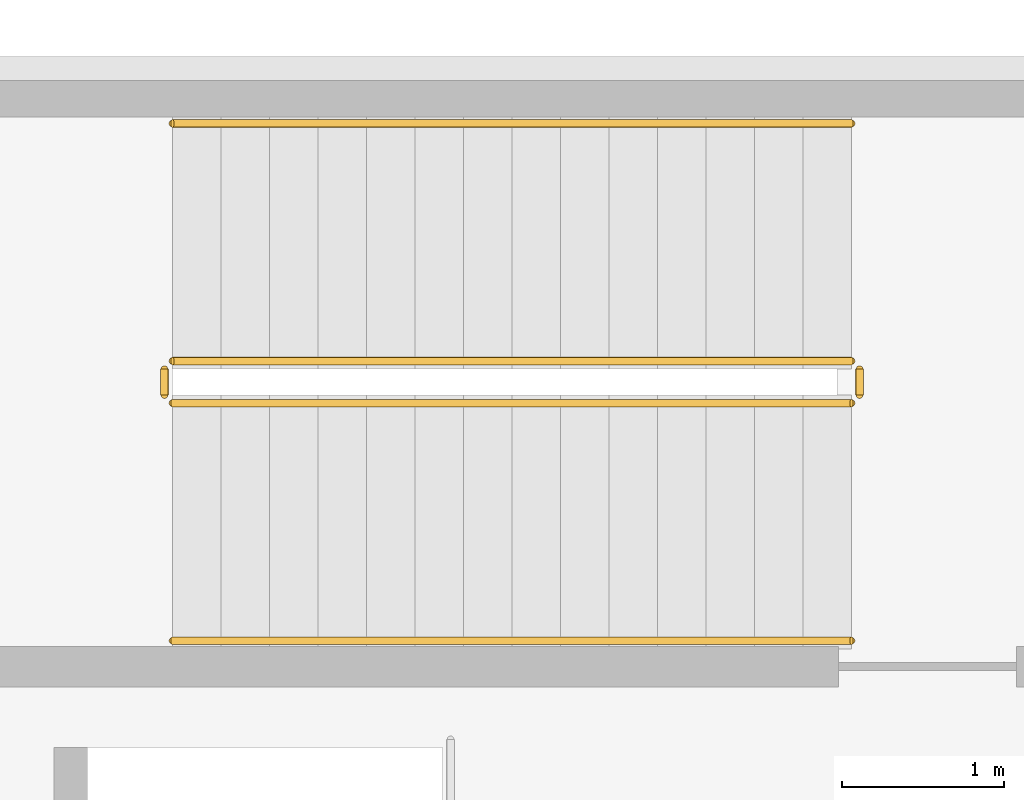
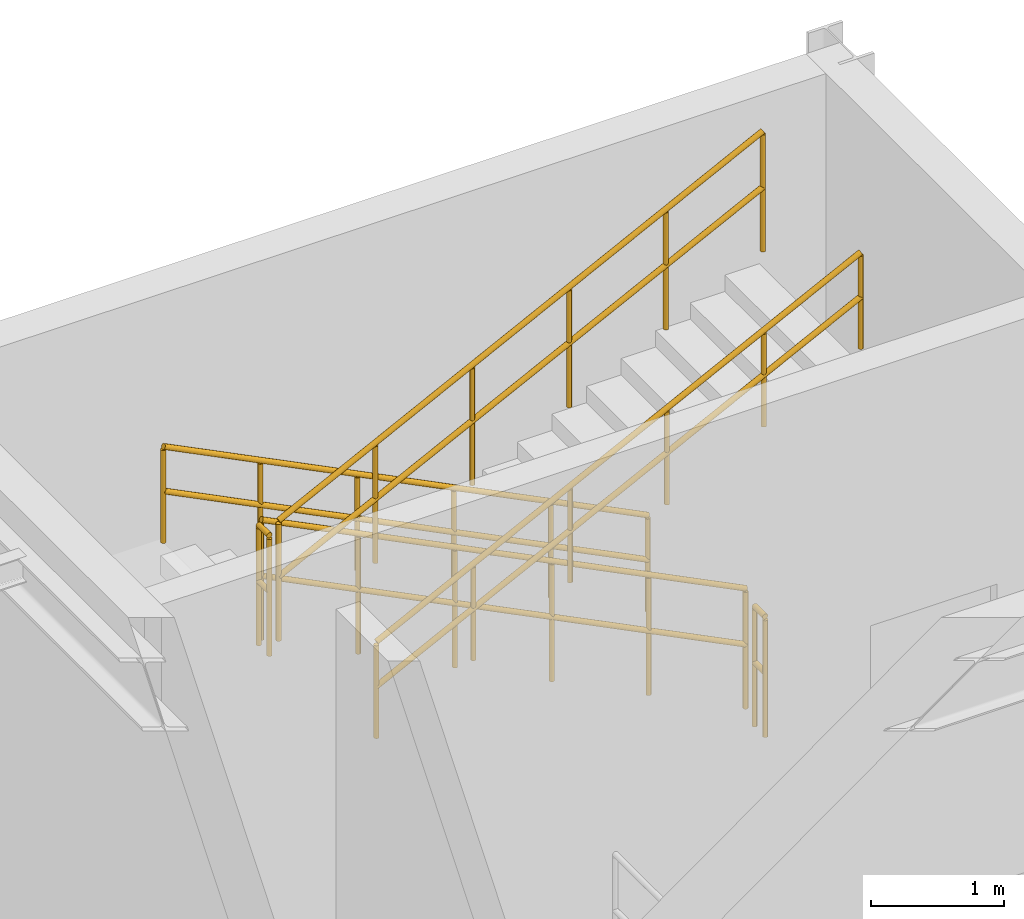
# One storey, part 105 of 106: 6 railings.
"""IFC4 building model written with IfcOpenShell, lengths in metres."""

from ifc_helpers import new_model, si_unit, derived_unit, direction, frame, origin, origin_2d, place, context, subcontext, project, spatial, circle, extrude, material, type_object, element, save


model = new_model("IFC4")

# Units and contexts
model_context = context("Model", 3, precision=1e-05, world=origin(), true_north=direction((0.0, 1.0)))
body_context = subcontext(model_context, "Body", "Model", "MODEL_VIEW")
ifc_project = project(units=[si_unit("LENGTHUNIT", "METRE"), si_unit("AREAUNIT", "SQUARE_METRE"), si_unit("VOLUMEUNIT", "CUBIC_METRE"), si_unit("PLANEANGLEUNIT", "RADIAN"), si_unit("MASSUNIT", "GRAM", prefix="KILO"), derived_unit("THERMALTRANSMITTANCEUNIT", [(si_unit("POWERUNIT", "WATT"), 1), (si_unit("AREAUNIT", "SQUARE_METRE"), -1), (si_unit("THERMODYNAMICTEMPERATUREUNIT", "KELVIN"), -1)])], contexts=[model_context])

# Site, building, storey
site_placement = place(None, origin())
site = spatial("IfcSite", under=ifc_project, at=site_placement, CompositionType="ELEMENT")
building_placement = place(site_placement, origin())
building = spatial("IfcBuilding", under=site, at=building_placement, Name="Yasenodar Specialist Clinic", CompositionType="ELEMENT")
storey_placement = place(building_placement, frame((0.0, 0.0, 4.5)))
storey = spatial("IfcBuildingStorey", under=building, at=storey_placement, Name="L01", CompositionType="ELEMENT", Elevation=4.5)

# Railings
ifc_material_1 = material(Name="Steel S355 Painted Stair Guardrail", Category="steel")
railing_type_1 = type_object("IfcRailingType", Name="RL-ST-GRD", PredefinedType="GUARDRAIL", material=ifc_material_1)
railing_1_placement = place(storey_placement, frame((119.929931640625, 109.7900390625, 0.14990234375)))
element("IfcRailing", 1, at=railing_1_placement, inside=storey, type_object=railing_type_1, Name="L01 ST-05 stair guard 1", PredefinedType="GUARDRAIL", context=body_context, shape_type="SweptSolid", body=[
    extrude(circle(Radius=0.02392578125, at=origin_2d()), frame((0.0, 0.0, 1.09619140625), z_axis=(-0.894416792377, 0.0, 0.447234392142), x_axis=(0.0, -1.0, 0.0)), (0.0, 0.0, 1.0), 4.69580078125),
    extrude(circle(Radius=0.02392578125, at=origin_2d()), frame((0.0, 0.0, 0.58251953125), z_axis=(-0.894416792377, 0.0, 0.447234392142), x_axis=(0.0, -1.0, 0.0)), (0.0, 0.0, 1.0), 4.69580078125),
    extrude(circle(Radius=0.02099609375, at=origin_2d()), origin(), (0.0, 0.0, 1.0), 1.072021484375),
    extrude(circle(Radius=0.02099609375, at=origin_2d()), frame((-0.840087890625, 0.0, 0.419921875)), (0.0, 0.0, 1.0), 1.072021484375),
    extrude(circle(Radius=0.02099609375, at=origin_2d()), frame((-1.679931640625, 0.0, 0.840087890625)), (0.0, 0.0, 1.0), 1.072021484375),
    extrude(circle(Radius=0.02099609375, at=origin_2d()), frame((-2.52001953125, 0.0, 1.260009765625)), (0.0, 0.0, 1.0), 1.072021484375),
    extrude(circle(Radius=0.02099609375, at=origin_2d()), frame((-3.35986328125, 0.0, 1.68017578125)), (0.0, 0.0, 1.0), 1.072021484375),
    extrude(circle(Radius=0.02099609375, at=origin_2d()), frame((-4.199951171875, 0.0, 2.10009765625)), (0.0, 0.0, 1.0), 1.072021484375),
])
railing_2_placement = place(storey_placement, frame((115.679931640625, 109.739990234375, 2.25)))
element("IfcRailing", 2, at=railing_2_placement, inside=storey, type_object=railing_type_1, Name="L01 ST-05 stair guard 2", PredefinedType="GUARDRAIL", context=body_context, shape_type="SweptSolid", body=[
    extrude(circle(Radius=0.02392578125, at=origin_2d()), frame((0.0, 0.0, 1.09619140625), z_axis=(0.0, -1.0, 0.0), x_axis=(1.0, 0.0, 0.0)), (0.0, 0.0, 1.0), 0.159912109375),
    extrude(circle(Radius=0.02392578125, at=origin_2d()), frame((0.0, 0.0, 0.58251953125), z_axis=(0.0, -1.0, 0.0), x_axis=(1.0, 0.0, 0.0)), (0.0, 0.0, 1.0), 0.159912109375),
    extrude(circle(Radius=0.02099609375, at=origin_2d()), origin(), (0.0, 0.0, 1.0), 1.072021484375),
    extrude(circle(Radius=0.02099609375, at=origin_2d()), frame((0.0, -0.159912109375, 0.0)), (0.0, 0.0, 1.0), 1.072021484375),
])
railing_3_placement = place(storey_placement, frame((115.72998046875, 109.530029296875, 2.39990234375)))
element("IfcRailing", 3, at=railing_3_placement, inside=storey, type_object=railing_type_1, Name="L01 ST-05 stair guard 3", PredefinedType="GUARDRAIL", context=body_context, shape_type="SweptSolid", body=[
    extrude(circle(Radius=0.02392578125, at=origin_2d()), frame((0.0, 0.0, 1.09619140625), z_axis=(0.894416792377, 0.0, 0.447234392142), x_axis=(0.0, 1.0, 0.0)), (0.0, 0.0, 1.0), 4.69580078125),
    extrude(circle(Radius=0.02392578125, at=origin_2d()), frame((0.0, 0.0, 0.58251953125), z_axis=(0.894416792377, 0.0, 0.447234392142), x_axis=(0.0, 1.0, 0.0)), (0.0, 0.0, 1.0), 4.69580078125),
    extrude(circle(Radius=0.02099609375, at=origin_2d()), origin(), (0.0, 0.0, 1.0), 1.072021484375),
    extrude(circle(Radius=0.02099609375, at=origin_2d()), frame((0.840087890625, 0.0, 0.419921875)), (0.0, 0.0, 1.0), 1.072021484375),
    extrude(circle(Radius=0.02099609375, at=origin_2d()), frame((1.679931640625, 0.0, 0.840087890625)), (0.0, 0.0, 1.0), 1.072021484375),
    extrude(circle(Radius=0.02099609375, at=origin_2d()), frame((2.52001953125, 0.0, 1.260009765625)), (0.0, 0.0, 1.0), 1.072021484375),
    extrude(circle(Radius=0.02099609375, at=origin_2d()), frame((3.35986328125, 0.0, 1.68017578125)), (0.0, 0.0, 1.0), 1.072021484375),
    extrude(circle(Radius=0.02099609375, at=origin_2d()), frame((4.199951171875, 0.0, 2.10009765625)), (0.0, 0.0, 1.0), 1.072021484375),
])
railing_4_placement = place(storey_placement, frame((119.97998046875, 109.739990234375, 0.0)))
element("IfcRailing", 4, at=railing_4_placement, inside=storey, type_object=railing_type_1, Name="L01 ST-05 stair guard 4", PredefinedType="GUARDRAIL", context=body_context, shape_type="SweptSolid", body=[
    extrude(circle(Radius=0.02392578125, at=origin_2d()), frame((0.0, 0.0, 1.09619140625), z_axis=(0.0, -1.0, 0.0), x_axis=(1.0, 0.0, 0.0)), (0.0, 0.0, 1.0), 0.159912109375),
    extrude(circle(Radius=0.02392578125, at=origin_2d()), frame((0.0, 0.0, 0.58251953125), z_axis=(0.0, -1.0, 0.0), x_axis=(1.0, 0.0, 0.0)), (0.0, 0.0, 1.0), 0.159912109375),
    extrude(circle(Radius=0.02099609375, at=origin_2d()), origin(), (0.0, 0.0, 1.0), 1.072021484375),
    extrude(circle(Radius=0.02099609375, at=origin_2d()), frame((0.0, -0.159912109375, 0.0)), (0.0, 0.0, 1.0), 1.072021484375),
])
ifc_material_2 = material(Name="Brushed Stainless Steel Handrail", Category="steel")
railing_type_2 = type_object("IfcRailingType", Name="RL-ST-HND", PredefinedType="HANDRAIL", material=ifc_material_2)
railing_5_placement = place(storey_placement, frame((119.929931640625, 111.260009765625, 0.14990234375)))
element("IfcRailing", 5, at=railing_5_placement, inside=storey, type_object=railing_type_2, Name="L01 ST-05 stair handrail 1", PredefinedType="HANDRAIL", context=body_context, shape_type="SweptSolid", body=[
    extrude(circle(Radius=0.02392578125, at=origin_2d()), frame((0.0, 0.0, 0.8759765625), z_axis=(-0.894416792377, 0.0, 0.447234392142), x_axis=(0.0, -1.0, 0.0)), (0.0, 0.0, 1.0), 4.69580078125),
    extrude(circle(Radius=0.02392578125, at=origin_2d()), frame((0.0, 0.0, 0.468017578125), z_axis=(-0.894416792377, 0.0, 0.447234392142), x_axis=(0.0, -1.0, 0.0)), (0.0, 0.0, 1.0), 4.69580078125),
    extrude(circle(Radius=0.02099609375, at=origin_2d()), origin(), (0.0, 0.0, 1.0), 0.851806640625),
    extrude(circle(Radius=0.02099609375, at=origin_2d()), frame((-0.840087890625, 0.0, 0.419921875)), (0.0, 0.0, 1.0), 0.851806640625),
    extrude(circle(Radius=0.02099609375, at=origin_2d()), frame((-1.679931640625, 0.0, 0.840087890625)), (0.0, 0.0, 1.0), 0.851806640625),
    extrude(circle(Radius=0.02099609375, at=origin_2d()), frame((-2.52001953125, 0.0, 1.260009765625)), (0.0, 0.0, 1.0), 0.851806640625),
    extrude(circle(Radius=0.02099609375, at=origin_2d()), frame((-3.35986328125, 0.0, 1.68017578125)), (0.0, 0.0, 1.0), 0.851806640625),
    extrude(circle(Radius=0.02099609375, at=origin_2d()), frame((-4.199951171875, 0.0, 2.10009765625)), (0.0, 0.0, 1.0), 0.851806640625),
])
railing_6_placement = place(storey_placement, frame((115.72998046875, 108.06005859375, 2.39990234375)))
element("IfcRailing", 6, at=railing_6_placement, inside=storey, type_object=railing_type_2, Name="L01 ST-05 stair handrail 2", PredefinedType="HANDRAIL", context=body_context, shape_type="SweptSolid", body=[
    extrude(circle(Radius=0.02392578125, at=origin_2d()), frame((0.0, 0.0, 0.8759765625), z_axis=(0.894416792377, 0.0, 0.447234392142), x_axis=(0.0, 1.0, 0.0)), (0.0, 0.0, 1.0), 4.69580078125),
    extrude(circle(Radius=0.02392578125, at=origin_2d()), frame((0.0, 0.0, 0.468017578125), z_axis=(0.894416792377, 0.0, 0.447234392142), x_axis=(0.0, 1.0, 0.0)), (0.0, 0.0, 1.0), 4.69580078125),
    extrude(circle(Radius=0.02099609375, at=origin_2d()), origin(), (0.0, 0.0, 1.0), 0.851806640625),
    extrude(circle(Radius=0.02099609375, at=origin_2d()), frame((0.840087890625, 0.0, 0.419921875)), (0.0, 0.0, 1.0), 0.851806640625),
    extrude(circle(Radius=0.02099609375, at=origin_2d()), frame((1.679931640625, 0.0, 0.840087890625)), (0.0, 0.0, 1.0), 0.851806640625),
    extrude(circle(Radius=0.02099609375, at=origin_2d()), frame((2.52001953125, 0.0, 1.260009765625)), (0.0, 0.0, 1.0), 0.851806640625),
    extrude(circle(Radius=0.02099609375, at=origin_2d()), frame((3.35986328125, 0.0, 1.68017578125)), (0.0, 0.0, 1.0), 0.851806640625),
    extrude(circle(Radius=0.02099609375, at=origin_2d()), frame((4.199951171875, 0.0, 2.10009765625)), (0.0, 0.0, 1.0), 0.851806640625),
])

save(model, "model.ifc")
